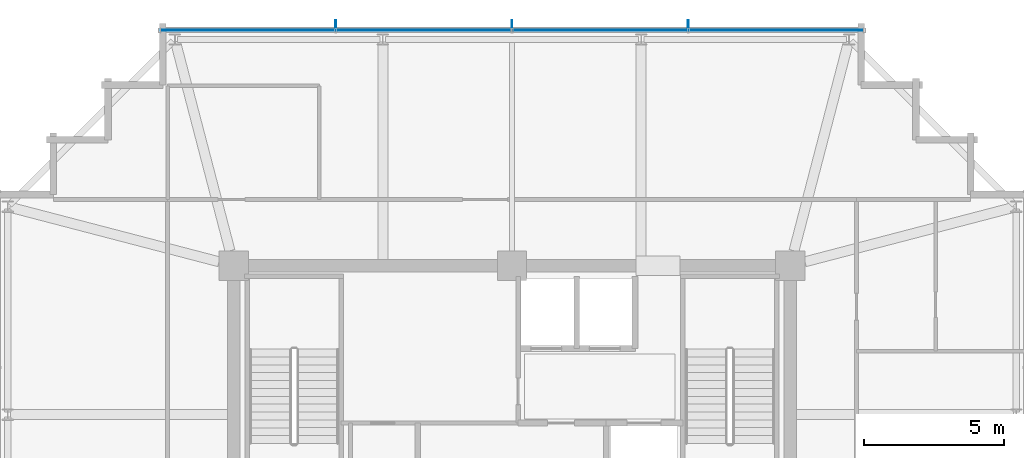
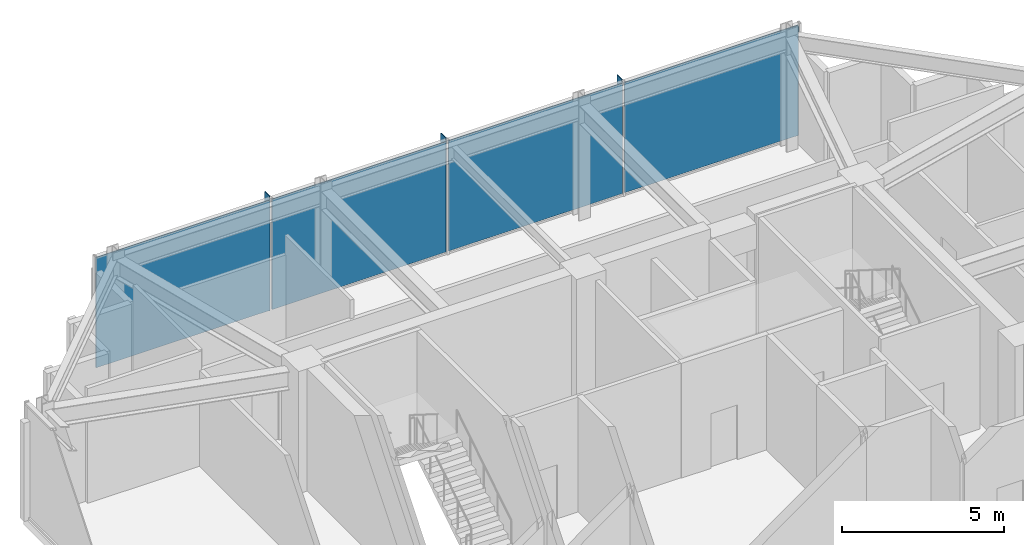
# One storey, part 26 of 30: 7 plates, 1 element without a shape of its own.
"""IFC4 building model written with IfcOpenShell, lengths in metres."""

from ifc_helpers import new_model, si_unit, direction, frame, origin, origin_2d, place, context, subcontext, project, spatial, rectangle, extrude, material, layer, layer_set, type_object, element, aggregate, save


model = new_model("IFC4")

# Units and contexts
model_context = context("Model", 3, precision=1e-05, world=origin(), true_north=direction((0.0, 1.0)))
body_context = subcontext(model_context, "Body", "Model", "MODEL_VIEW")
ifc_project = project(units=[si_unit("LENGTHUNIT", "METRE"), si_unit("AREAUNIT", "SQUARE_METRE"), si_unit("VOLUMEUNIT", "CUBIC_METRE"), si_unit("PLANEANGLEUNIT", "RADIAN"), si_unit("MASSUNIT", "GRAM", prefix="KILO")], contexts=[model_context])

# Site, building, storey
site_placement = place(None, origin())
site = spatial("IfcSite", under=ifc_project, at=site_placement, CompositionType="ELEMENT")
building_placement = place(site_placement, origin())
building = spatial("IfcBuilding", under=site, at=building_placement, Name="Kolvaren Belvedere", CompositionType="ELEMENT")
storey_placement = place(building_placement, frame((0.0, 0.0, 262.800048828125)))
storey = spatial("IfcBuildingStorey", under=building, at=storey_placement, Name="L76", CompositionType="ELEMENT", Elevation=262.800048828125)

# Curtain wall, plates
ifc_material_1 = material(Name="Anodised pale-metal aluminium AA 6063-T6", Category="aluminium")
curtain_wall_type = type_object("IfcCurtainWallType", Name="CW-CRN-OBS", PredefinedType="NOTDEFINED", material=ifc_material_1)
curtain_wall_placement = place(storey_placement, origin())
curtain_wall = element("IfcCurtainWall", 1, at=curtain_wall_placement, inside=storey, type_object=curtain_wall_type, Name="L76 Unitised Curtain Wall FCW-L76-N", PredefinedType="NOTDEFINED")
ifc_material_2 = material(Name="Low-iron laminated vision glass", Category="glass")
ifc_layer_1 = layer(ifc_material_2, 0.031982421875)
ifc_layer_set_1 = layer_set([ifc_layer_1], Name="Low-iron laminated vision glass")
plate_type_1 = type_object("IfcPlateType", Name="CW-PNL-VIS32", PredefinedType="CURTAIN_PANEL", material=ifc_layer_set_1)
plate_1_placement = place(storey_placement, frame((-9.41259765625, 18.280029296875, 0.080078125), z_axis=(0.0, 0.0, 1.0), x_axis=(1.0, 0.0, 0.0)))
plate_1 = element("IfcPlate", 2, at=plate_1_placement, type_object=plate_type_1, Name="FCW-L76-N Vision Glazing Panel 1", PredefinedType="CURTAIN_PANEL", context=body_context, shape_type="SweptSolid", body=[
    extrude(rectangle(XDim=6.195068359375, YDim=0.031982421875, at=origin_2d()), origin(), (0.0, 0.0, 1.0), 4.159912109375),
])
plate_2_placement = place(storey_placement, frame((-3.137451171875, 18.280029296875, 0.080078125), z_axis=(0.0, 0.0, 1.0), x_axis=(1.0, 0.0, 0.0)))
plate_2 = element("IfcPlate", 3, at=plate_2_placement, type_object=plate_type_1, Name="FCW-L76-N Vision Glazing Panel 2", PredefinedType="CURTAIN_PANEL", context=body_context, shape_type="SweptSolid", body=[
    extrude(rectangle(XDim=6.195068359375, YDim=0.031982421875, at=origin_2d()), origin(), (0.0, 0.0, 1.0), 4.159912109375),
])
plate_3_placement = place(storey_placement, frame((3.137451171875, 18.280029296875, 0.080078125), z_axis=(0.0, 0.0, 1.0), x_axis=(1.0, 0.0, 0.0)))
plate_3 = element("IfcPlate", 4, at=plate_3_placement, type_object=plate_type_1, Name="FCW-L76-N Vision Glazing Panel 3", PredefinedType="CURTAIN_PANEL", context=body_context, shape_type="SweptSolid", body=[
    extrude(rectangle(XDim=6.195068359375, YDim=0.031982421875, at=origin_2d()), origin(), (0.0, 0.0, 1.0), 4.159912109375),
])
plate_4_placement = place(storey_placement, frame((9.41259765625, 18.280029296875, 0.080078125), z_axis=(0.0, 0.0, 1.0), x_axis=(1.0, 0.0, 0.0)))
plate_4 = element("IfcPlate", 5, at=plate_4_placement, type_object=plate_type_1, Name="FCW-L76-N Vision Glazing Panel 4", PredefinedType="CURTAIN_PANEL", context=body_context, shape_type="SweptSolid", body=[
    extrude(rectangle(XDim=6.195068359375, YDim=0.031982421875, at=origin_2d()), origin(), (0.0, 0.0, 1.0), 4.159912109375),
])
aggregate(curtain_wall, [plate_1, plate_2, plate_3, plate_4])

# Plates
ifc_material_3 = material(Name="Anodised pale-metal aluminium AA 6063-T6", Category="aluminium")
ifc_layer_2 = layer(ifc_material_3, 0.030029296875)
ifc_layer_set_2 = layer_set([ifc_layer_2], Name="Anodised pale-metal aluminium AA 6063-T6")
plate_type_2 = type_object("IfcPlateType", Name="FIN-VERT-300", PredefinedType="USERDEFINED", material=ifc_layer_set_2)
for number, where, z_axis, x_axis, name in (
    (6, (-6.27490234375, 18.4951171875, 0.0), (0.0, 0.0, 1.0), (0.0, 1.0, 0.0), "L76 Pale-Metal Vertical Shading Fin FCW-L76-N-1"),
    (7, (0.0, 18.4951171875, 0.0), (0.0, 0.0, 1.0), (0.0, 1.0, 0.0), "L76 Pale-Metal Vertical Shading Fin FCW-L76-N-2"),
    (8, (6.27490234375, 18.4951171875, 0.0), (0.0, 0.0, 1.0), (0.0, 1.0, 0.0), "L76 Pale-Metal Vertical Shading Fin FCW-L76-N-3"),
):
    element("IfcPlate", number, at=place(storey_placement, frame(where, z_axis=z_axis, x_axis=x_axis)), inside=storey, type_object=plate_type_2, Name=name, ObjectType="VERTICAL FIN", PredefinedType="USERDEFINED", context=body_context, shape_type="SweptSolid", body=[
        extrude(rectangle(XDim=0.300048828125, YDim=0.030029296875, at=origin_2d()), origin(), (0.0, 0.0, 1.0), 4.320068359375),
    ])

save(model, "model.ifc")
